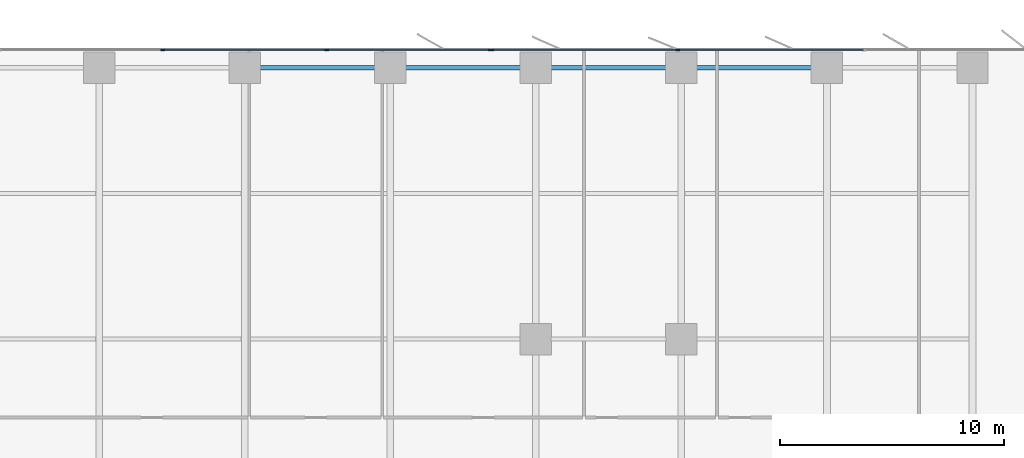
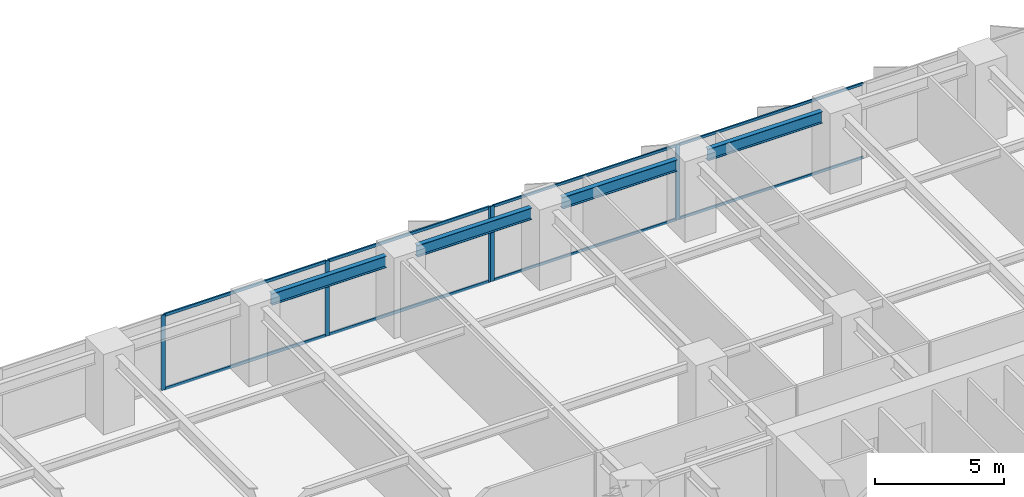
# One storey, part 9 of 20: 13 members, 4 beams, 2 elements without a shape of their own.
"""IFC4 building model written with IfcOpenShell, lengths in metres."""

import ifcopenshell
import ifcopenshell.guid

model = None  # the IFC model being written
_history = None  # IfcOwnerHistory: only IFC2X3 demands one
_inside = {}  # id of a spatial element -> (the spatial element, [elements in it])
_under = {}  # id of a project, library or spatial element -> (it, [spatial elements below it])
_declared = {}  # id of a project -> (the project, [libraries it declares])
_typed = {}  # id of a type object -> (the type object, [elements of that type])
_made_of = {}  # id of a material, layer set ... -> (it, [elements and type objects made of it])


def new_model(schema):
    """Start an empty IFC model of exactly this schema.

    Asked for "IFC4X3", IfcOpenShell would pick the latest addendum, in which some entities
    have other attributes; the version numbers below select the first issue.
    IFC2X3 requires an IfcOwnerHistory on every rooted entity: one is made here for all.
    """
    global model, _history
    if schema == "IFC4X3":
        model = ifcopenshell.file(schema_version=(4, 3, 0, 0))
    else:
        model = ifcopenshell.file(schema=schema)
    _inside.clear()
    _under.clear()
    _declared.clear()
    _typed.clear()
    _made_of.clear()
    _history = None
    if model.schema == "IFC2X3":
        org = make("IfcOrganization", Name="unknown")
        user = make(
            "IfcPersonAndOrganization",
            ThePerson=make("IfcPerson", FamilyName="unknown"),
            TheOrganization=org,
        )
        app = make(
            "IfcApplication",
            ApplicationDeveloper=org,
            Version="unknown",
            ApplicationFullName="unknown",
            ApplicationIdentifier="unknown",
        )
        _history = make(
            "IfcOwnerHistory",
            OwningUser=user,
            OwningApplication=app,
            ChangeAction="ADDED",
            CreationDate=0,
        )
    return model


def make(cls, **values):
    """One entity of the class cls with the attributes given. An attribute that is None is left unset."""
    return model.create_entity(
        cls, **{name: value for name, value in values.items() if value is not None}
    )


def rooted(cls, **values):
    """An entity with a GlobalId (a new one), such as an element, a storey or a relation."""
    return make(cls, GlobalId=ifcopenshell.guid.new(), OwnerHistory=_history, **values)


def si_unit(unit_type, name, prefix=None):
    """IfcSIUnit, for example si_unit("LENGTHUNIT", "METRE", prefix="MILLI")."""
    return make("IfcSIUnit", UnitType=unit_type, Prefix=prefix, Name=name)


def assignment(units):
    """IfcUnitAssignment: the units of a project."""
    return None if units is None else make("IfcUnitAssignment", Units=units)


def point(xyz):
    """IfcCartesianPoint."""
    return None if xyz is None else make("IfcCartesianPoint", Coordinates=xyz)


def direction(xyz):
    """IfcDirection."""
    return None if xyz is None else make("IfcDirection", DirectionRatios=xyz)


def frame(location, z_axis=None, x_axis=None):
    """IfcAxis2Placement3D, a coordinate frame: its origin and axes. An axis left out is left unset."""
    return make(
        "IfcAxis2Placement3D",
        Location=point(location),
        Axis=direction(z_axis),
        RefDirection=direction(x_axis),
    )


def frame_2d(location, x_axis=None):
    """IfcAxis2Placement2D, a coordinate frame in the plane: its origin and x axis."""
    return make(
        "IfcAxis2Placement2D", Location=point(location), RefDirection=direction(x_axis)
    )


def origin():
    """The frame at (0, 0, 0) with its axes left unset."""
    return frame((0.0, 0.0, 0.0))


def origin_2d():
    """The frame at (0, 0) in the plane with its x axis left unset."""
    return frame_2d((0.0, 0.0))


def place(relative_to, where):
    """IfcLocalPlacement: puts the frame where relative to a parent placement (None: the world)."""
    return make(
        "IfcLocalPlacement", PlacementRelTo=relative_to, RelativePlacement=where
    )


def context(
    kind, dimensions, precision=None, world=None, true_north=None, identifier=None
):
    """IfcGeometricRepresentationContext, for example the 3D "Model" context."""
    return make(
        "IfcGeometricRepresentationContext",
        ContextIdentifier=identifier,
        ContextType=kind,
        CoordinateSpaceDimension=dimensions,
        Precision=precision,
        WorldCoordinateSystem=world,
        TrueNorth=true_north,
    )


def subcontext(parent, identifier, kind, view, scale=None):
    """IfcGeometricRepresentationSubContext, for example "Body" below "Model"."""
    return make(
        "IfcGeometricRepresentationSubContext",
        ContextIdentifier=identifier,
        ContextType=kind,
        ParentContext=parent,
        TargetScale=scale,
        TargetView=view,
    )


def project(units=None, contexts=None):
    """IfcProject with its units and contexts."""
    return rooted(
        "IfcProject",
        Name="project",
        RepresentationContexts=contexts,
        UnitsInContext=assignment(units),
    )


def spatial(cls, under=None, at=None, **own):
    """A site, building, storey or space (cls), placed at a placement, below another one or the project."""
    s = rooted(cls, ObjectPlacement=at, **own)
    if under is not None:
        _under.setdefault(under.id(), (under, []))[1].append(s)
    return s


def profile(cls, at=None, kind="AREA", **sizes):
    """A parametric profile (cls). Its sizes go by their IFC names, for example OverallWidth=200.0."""
    return make(cls, ProfileType=kind, Position=at, **sizes)


def rectangle(**sizes):
    """IfcRectangleProfileDef."""
    return profile("IfcRectangleProfileDef", **sizes)


def i_section(**sizes):
    """IfcIShapeProfileDef."""
    return profile("IfcIShapeProfileDef", **sizes)


def extrude(swept, where, along, depth):
    """IfcExtrudedAreaSolid: the profile swept, set in the frame where, extruded along a direction by depth."""
    return make(
        "IfcExtrudedAreaSolid",
        SweptArea=swept,
        Position=where,
        ExtrudedDirection=direction(along),
        Depth=depth,
    )


def shape(context_of_items, identifier, shape_type, items):
    """IfcShapeRepresentation: the items that make up one representation, for example the "Body"."""
    return make(
        "IfcShapeRepresentation",
        ContextOfItems=context_of_items,
        RepresentationIdentifier=identifier,
        RepresentationType=shape_type,
        Items=items,
    )


def material(Name=None, Category=None):
    """IfcMaterial."""
    return make("IfcMaterial", Name=Name, Category=Category)


def layer(
    of_material, thickness, ventilated=None, Name=None, Category=None, Priority=None
):
    """IfcMaterialLayer: one layer of a wall or slab, of a material (None: an air gap)."""
    return make(
        "IfcMaterialLayer",
        Material=of_material,
        LayerThickness=thickness,
        IsVentilated=ventilated,
        Name=Name,
        Category=Category,
        Priority=Priority,
    )


def layer_set(layers, Name=None):
    """IfcMaterialLayerSet."""
    return make("IfcMaterialLayerSet", MaterialLayers=layers, LayerSetName=Name)


def material_profile(
    of_material, cross_section, Name=None, Category=None, Priority=None
):
    """IfcMaterialProfile: a cross section and its material."""
    return make(
        "IfcMaterialProfile",
        Name=Name,
        Material=of_material,
        Profile=cross_section,
        Priority=Priority,
        Category=Category,
    )


def profile_set(profiles, Name=None, composite=None):
    """IfcMaterialProfileSet."""
    return make(
        "IfcMaterialProfileSet",
        Name=Name,
        MaterialProfiles=profiles,
        CompositeProfile=composite,
    )


def made_of(thing, what):
    """Note that an element or type object is made of a material, layer set ...; save() writes the relation."""
    if what is not None:
        _made_of.setdefault(what.id(), (what, []))[1].append(thing)
    return thing


def type_object(cls, material=None, **own):
    """A type object (cls), such as IfcWallType, which elements share."""
    return made_of(rooted(cls, **own), material)


def element(
    cls,
    number,
    at=None,
    inside=None,
    cuts=None,
    type_object=None,
    material=None,
    context=None,
    identifier="Body",
    shape_type=None,
    held_by="IfcProductDefinitionShape",
    body=None,
    shapes=None,
    **own,
):
    """One element of the class cls, such as IfcWall. Its Tag is "e" and its number.

    at: its placement. inside: the storey or other place that contains it. cuts: it is an
    opening in that element (IfcRelVoidsElement). A single representation is given by context,
    identifier, shape_type and body (its items); several are given by shapes. held_by: the class
    of the entity that holds the representations. save() writes the other relations.
    """
    e = rooted(cls, Tag="e%d" % number, ObjectPlacement=at, **own)
    if body is not None:
        shapes = [shape(context, identifier, shape_type, body)]
    if shapes is not None:
        e.Representation = make(held_by, Representations=shapes)
    if inside is not None:
        _inside.setdefault(inside.id(), (inside, []))[1].append(e)
    if cuts is not None:
        rooted(
            "IfcRelVoidsElement", RelatingBuildingElement=cuts, RelatedOpeningElement=e
        )
    if type_object is not None:
        _typed.setdefault(type_object.id(), (type_object, []))[1].append(e)
    return made_of(e, material)


def aggregate(whole, parts):
    """IfcRelAggregates: a whole, such as a stair, and the parts it consists of."""
    return rooted("IfcRelAggregates", RelatingObject=whole, RelatedObjects=parts)


def save(model, path):
    """Write the relations noted so far, then the file.

    IfcRelAggregates (storeys below a building ...), IfcRelContainedInSpatialStructure (elements
    in a storey), IfcRelDefinesByType, IfcRelAssociatesMaterial and IfcRelDeclares: one each for
    every whole, place, type object, material and project.
    """
    for whole, parts in _under.values():
        aggregate(whole, parts)
    for where, things in _inside.values():
        rooted(
            "IfcRelContainedInSpatialStructure",
            RelatedElements=things,
            RelatingStructure=where,
        )
    for kind, things in _typed.values():
        rooted("IfcRelDefinesByType", RelatedObjects=things, RelatingType=kind)
    for what, things in _made_of.values():
        rooted("IfcRelAssociatesMaterial", RelatedObjects=things, RelatingMaterial=what)
    for by, libraries in _declared.values():
        rooted("IfcRelDeclares", RelatingContext=by, RelatedDefinitions=libraries)
    model.write(path)


model = new_model("IFC4")

# Units and contexts
model_context = context("Model", 3, precision=1e-05, world=origin(), true_north=direction((0.0, 1.0)))
body_context = subcontext(model_context, "Body", "Model", "MODEL_VIEW")
ifc_project = project(units=[si_unit("LENGTHUNIT", "METRE"), si_unit("AREAUNIT", "SQUARE_METRE"), si_unit("VOLUMEUNIT", "CUBIC_METRE"), si_unit("PLANEANGLEUNIT", "RADIAN"), si_unit("MASSUNIT", "GRAM", prefix="KILO")], contexts=[model_context])

# Site, building, storey
site_placement = place(None, origin())
site = spatial("IfcSite", under=ifc_project, at=site_placement, CompositionType="ELEMENT")
building_placement = place(site_placement, origin())
building = spatial("IfcBuilding", under=site, at=building_placement, Name="Putna Gate Headquarters", CompositionType="ELEMENT")
storey_placement = place(building_placement, frame((0.0, 0.0, 73.39990234375)))
storey = spatial("IfcBuildingStorey", under=building, at=storey_placement, Name="L17", CompositionType="ELEMENT", Elevation=73.39990234375)

# Beams
ifc_material_1 = material(Name="Steel S355J2", Category="steel")
ifc_material_profile_1 = material_profile(ifc_material_1, i_section(OverallWidth=0.2099609375, OverallDepth=0.550048828125, WebThickness=0.010986328125, FlangeThickness=0.01708984375, at=origin_2d()), Name="Steel S355J2")
ifc_profile_set_1 = profile_set([ifc_material_profile_1], Name="Steel S355J2")
beam_type = type_object("IfcBeamType", Name="BM-SPAN-Z1-IPE550", PredefinedType="SPANDREL", material=ifc_profile_set_1)
for number, where, z_axis, x_axis, name in (
    (1, (39.68798828125, 51.1201171875, 3.275146484375), (1.0, 0.0, 0.0), (0.0, 1.0, 0.0), "L17 N Perimeter Spandrel 6"),
    (2, (46.18798828125, 51.1201171875, 3.275146484375), (1.0, 0.0, 0.0), (0.0, 1.0, 0.0), "L17 N Perimeter Spandrel 7"),
    (3, (52.68798828125, 51.1201171875, 3.275146484375), (1.0, 0.0, 0.0), (0.0, 1.0, 0.0), "L17 N Perimeter Spandrel 8"),
    (4, (59.18798828125, 51.1201171875, 3.275146484375), (1.0, 0.0, 0.0), (0.0, 1.0, 0.0), "L17 N Perimeter Spandrel 9"),
):
    element("IfcBeam", number, at=place(storey_placement, frame(where, z_axis=z_axis, x_axis=x_axis)), inside=storey, type_object=beam_type, Name=name, PredefinedType="SPANDREL", context=body_context, shape_type="SweptSolid", body=[
        extrude(i_section(OverallWidth=0.2099609375, OverallDepth=0.550048828125, WebThickness=0.010986328125, FlangeThickness=0.01708984375, at=origin_2d()), origin(), (0.0, 0.0, 1.0), 5.1240234375),
    ])

# Curtain wall, members
ifc_material_2 = material(Name="Anodised bronze aluminium curtain wall", Category="aluminium")
ifc_layer_1 = layer(ifc_material_2, 0.179931640625)
ifc_layer_set_1 = layer_set([ifc_layer_1], Name="Anodised bronze aluminium curtain wall")
curtain_wall_type_1 = type_object("IfcCurtainWallType", Name="CW-SYS-Z1", PredefinedType="USERDEFINED", material=ifc_layer_set_1)
curtain_wall_1_placement = place(storey_placement, origin())
curtain_wall_1 = element("IfcCurtainWall", 5, at=curtain_wall_1_placement, inside=storey, type_object=curtain_wall_type_1, Name="L17 North East Curtain Wall", ObjectType="STICK CURTAIN WALL", PredefinedType="USERDEFINED")
ifc_material_3 = material(Name="Anodised bronze aluminium EN AW-6060", Category="aluminium")
ifc_material_profile_2 = material_profile(ifc_material_3, rectangle(XDim=0.070068359375, YDim=0.179931640625, at=origin_2d()), Name="Anodised bronze aluminium EN AW-6060")
ifc_profile_set_2 = profile_set([ifc_material_profile_2], Name="Anodised bronze aluminium EN AW-6060")
member_type_1 = type_object("IfcMemberType", Name="MULL-CWM-1", PredefinedType="MULLION", material=ifc_profile_set_2)
member_1_placement = place(storey_placement, frame((50.034912109375, 51.919921875, 0.0), z_axis=(0.0, 0.0, 1.0), x_axis=(0.0, 1.0, 0.0)))
member_1 = element("IfcMember", 6, at=member_1_placement, type_object=member_type_1, Name="CWS-1 mullion 1", PredefinedType="MULLION", context=body_context, shape_type="SweptSolid", body=[
    extrude(rectangle(XDim=0.070068359375, YDim=0.179931640625, at=origin_2d()), origin(), (0.0, 0.0, 1.0), 3.550048828125),
])
member_2_placement = place(storey_placement, frame((58.333251953125, 51.919921875, 0.0), z_axis=(0.0, 0.0, 1.0), x_axis=(0.0, 1.0, 0.0)))
member_2 = element("IfcMember", 7, at=member_2_placement, type_object=member_type_1, Name="CWS-1 mullion 2", PredefinedType="MULLION", context=body_context, shape_type="SweptSolid", body=[
    extrude(rectangle(XDim=0.070068359375, YDim=0.179931640625, at=origin_2d()), origin(), (0.0, 0.0, 1.0), 3.550048828125),
])

ifc_layer_2 = layer(ifc_material_2, 0.179931640625)
ifc_layer_set_2 = layer_set([ifc_layer_2], Name="Anodised bronze aluminium curtain wall")
curtain_wall_type_2 = type_object("IfcCurtainWallType", Name="CW-SYS-ATR", PredefinedType="USERDEFINED", material=ifc_layer_set_2)
curtain_wall_2_placement = place(storey_placement, origin())
curtain_wall_2 = element("IfcCurtainWall", 8, at=curtain_wall_2_placement, inside=storey, type_object=curtain_wall_type_2, Name="L17 North Atrium Clear Glazing", ObjectType="ATRIUM GLAZING", PredefinedType="USERDEFINED")
ifc_material_profile_3 = material_profile(ifc_material_3, rectangle(XDim=0.070068359375, YDim=0.179931640625, at=origin_2d()), Name="Anodised bronze aluminium EN AW-6060")
ifc_profile_set_3 = profile_set([ifc_material_profile_3], Name="Anodised bronze aluminium EN AW-6060")
member_type_2 = type_object("IfcMemberType", Name="MULL-CWM-AT", PredefinedType="MULLION", material=ifc_profile_set_3)
member_3_placement = place(storey_placement, frame((35.333251953125, 51.919921875, 0.0), z_axis=(0.0, 0.0, 1.0), x_axis=(0.0, 1.0, 0.0)))
member_3 = element("IfcMember", 9, at=member_3_placement, type_object=member_type_2, Name="CWS-AT mullion 2", PredefinedType="MULLION", context=body_context, shape_type="SweptSolid", body=[
    extrude(rectangle(XDim=0.070068359375, YDim=0.179931640625, at=origin_2d()), origin(), (0.0, 0.0, 1.0), 3.550048828125),
])
member_4_placement = place(storey_placement, frame((42.666748046875, 51.919921875, 0.0), z_axis=(0.0, 0.0, 1.0), x_axis=(0.0, 1.0, 0.0)))
member_4 = element("IfcMember", 10, at=member_4_placement, type_object=member_type_2, Name="CWS-AT mullion 3", PredefinedType="MULLION", context=body_context, shape_type="SweptSolid", body=[
    extrude(rectangle(XDim=0.070068359375, YDim=0.179931640625, at=origin_2d()), origin(), (0.0, 0.0, 1.0), 3.550048828125),
])
member_5_placement = place(storey_placement, frame((49.965087890625, 51.919921875, 0.0), z_axis=(0.0, 0.0, 1.0), x_axis=(0.0, 1.0, 0.0)))
member_5 = element("IfcMember", 11, at=member_5_placement, type_object=member_type_2, Name="CWS-AT mullion 4", PredefinedType="MULLION", context=body_context, shape_type="SweptSolid", body=[
    extrude(rectangle(XDim=0.070068359375, YDim=0.179931640625, at=origin_2d()), origin(), (0.0, 0.0, 1.0), 3.550048828125),
])

# Member
ifc_material_profile_4 = material_profile(ifc_material_3, rectangle(XDim=0.06494140625, YDim=0.1201171875, at=origin_2d()), Name="Anodised bronze aluminium EN AW-6060")
ifc_profile_set_4 = profile_set([ifc_material_profile_4], Name="Anodised bronze aluminium EN AW-6060")
member_type_3 = type_object("IfcMemberType", Name="TRAN-CWT-1", PredefinedType="USERDEFINED", material=ifc_profile_set_4)
member_6_placement = place(storey_placement, frame((50.070068359375, 51.919921875, 0.03271484375), z_axis=(1.0, 0.0, 0.0), x_axis=(0.0, 1.0, 0.0)))
member_6 = element("IfcMember", 12, at=member_6_placement, type_object=member_type_3, Name="CWS-1 transom 1.1", ObjectType="TRANSOM", PredefinedType="USERDEFINED", context=body_context, shape_type="SweptSolid", body=[
    extrude(rectangle(XDim=0.06494140625, YDim=0.1201171875, at=origin_2d()), origin(), (0.0, 0.0, 1.0), 8.228271484375),
])

member_7_placement = place(storey_placement, frame((50.070068359375, 51.919921875, 3.517578125), z_axis=(1.0, 0.0, 0.0), x_axis=(0.0, 1.0, 0.0)))
member_7 = element("IfcMember", 13, at=member_7_placement, type_object=member_type_3, Name="CWS-1 transom 1.2", ObjectType="TRANSOM", PredefinedType="USERDEFINED", context=body_context, shape_type="SweptSolid", body=[
    extrude(rectangle(XDim=0.06494140625, YDim=0.1201171875, at=origin_2d()), origin(), (0.0, 0.0, 1.0), 8.228271484375),
])

member_8_placement = place(storey_placement, frame((58.368408203125, 51.919921875, 0.03271484375), z_axis=(1.0, 0.0, 0.0), x_axis=(0.0, 1.0, 0.0)))
member_8 = element("IfcMember", 14, at=member_8_placement, type_object=member_type_3, Name="CWS-1 transom 2.1", ObjectType="TRANSOM", PredefinedType="USERDEFINED", context=body_context, shape_type="SweptSolid", body=[
    extrude(rectangle(XDim=0.06494140625, YDim=0.1201171875, at=origin_2d()), origin(), (0.0, 0.0, 1.0), 8.26318359375),
])

member_9_placement = place(storey_placement, frame((58.368408203125, 51.919921875, 3.517578125), z_axis=(1.0, 0.0, 0.0), x_axis=(0.0, 1.0, 0.0)))
member_9 = element("IfcMember", 15, at=member_9_placement, type_object=member_type_3, Name="CWS-1 transom 2.2", ObjectType="TRANSOM", PredefinedType="USERDEFINED", context=body_context, shape_type="SweptSolid", body=[
    extrude(rectangle(XDim=0.06494140625, YDim=0.1201171875, at=origin_2d()), origin(), (0.0, 0.0, 1.0), 8.26318359375),
])

aggregate(curtain_wall_1, [member_1, member_2, member_6, member_7, member_8, member_9])

ifc_material_profile_5 = material_profile(ifc_material_3, rectangle(XDim=0.070068359375, YDim=0.139892578125, at=origin_2d()), Name="Anodised bronze aluminium EN AW-6060")
ifc_profile_set_5 = profile_set([ifc_material_profile_5], Name="Anodised bronze aluminium EN AW-6060")
member_type_4 = type_object("IfcMemberType", Name="TRAN-CWT-AT", PredefinedType="USERDEFINED", material=ifc_profile_set_5)
member_10_placement = place(storey_placement, frame((35.368408203125, 51.919921875, 0.03515625), z_axis=(1.0, 0.0, 0.0), x_axis=(0.0, 1.0, 0.0)))
member_10 = element("IfcMember", 16, at=member_10_placement, type_object=member_type_4, Name="CWS-AT transom 2.1", ObjectType="TRANSOM", PredefinedType="USERDEFINED", context=body_context, shape_type="SweptSolid", body=[
    extrude(rectangle(XDim=0.070068359375, YDim=0.139892578125, at=origin_2d()), origin(), (0.0, 0.0, 1.0), 7.26318359375),
])

member_11_placement = place(storey_placement, frame((35.368408203125, 51.919921875, 3.51513671875), z_axis=(1.0, 0.0, 0.0), x_axis=(0.0, 1.0, 0.0)))
member_11 = element("IfcMember", 17, at=member_11_placement, type_object=member_type_4, Name="CWS-AT transom 2.2", ObjectType="TRANSOM", PredefinedType="USERDEFINED", context=body_context, shape_type="SweptSolid", body=[
    extrude(rectangle(XDim=0.070068359375, YDim=0.139892578125, at=origin_2d()), origin(), (0.0, 0.0, 1.0), 7.26318359375),
])

member_12_placement = place(storey_placement, frame((42.70166015625, 51.919921875, 0.03515625), z_axis=(1.0, 0.0, 0.0), x_axis=(0.0, 1.0, 0.0)))
member_12 = element("IfcMember", 18, at=member_12_placement, type_object=member_type_4, Name="CWS-AT transom 3.1", ObjectType="TRANSOM", PredefinedType="USERDEFINED", context=body_context, shape_type="SweptSolid", body=[
    extrude(rectangle(XDim=0.070068359375, YDim=0.139892578125, at=origin_2d()), origin(), (0.0, 0.0, 1.0), 7.228271484375),
])

member_13_placement = place(storey_placement, frame((42.70166015625, 51.919921875, 3.51513671875), z_axis=(1.0, 0.0, 0.0), x_axis=(0.0, 1.0, 0.0)))
member_13 = element("IfcMember", 19, at=member_13_placement, type_object=member_type_4, Name="CWS-AT transom 3.2", ObjectType="TRANSOM", PredefinedType="USERDEFINED", context=body_context, shape_type="SweptSolid", body=[
    extrude(rectangle(XDim=0.070068359375, YDim=0.139892578125, at=origin_2d()), origin(), (0.0, 0.0, 1.0), 7.228271484375),
])

aggregate(curtain_wall_2, [member_3, member_4, member_5, member_10, member_11, member_12, member_13])

save(model, "model.ifc")
